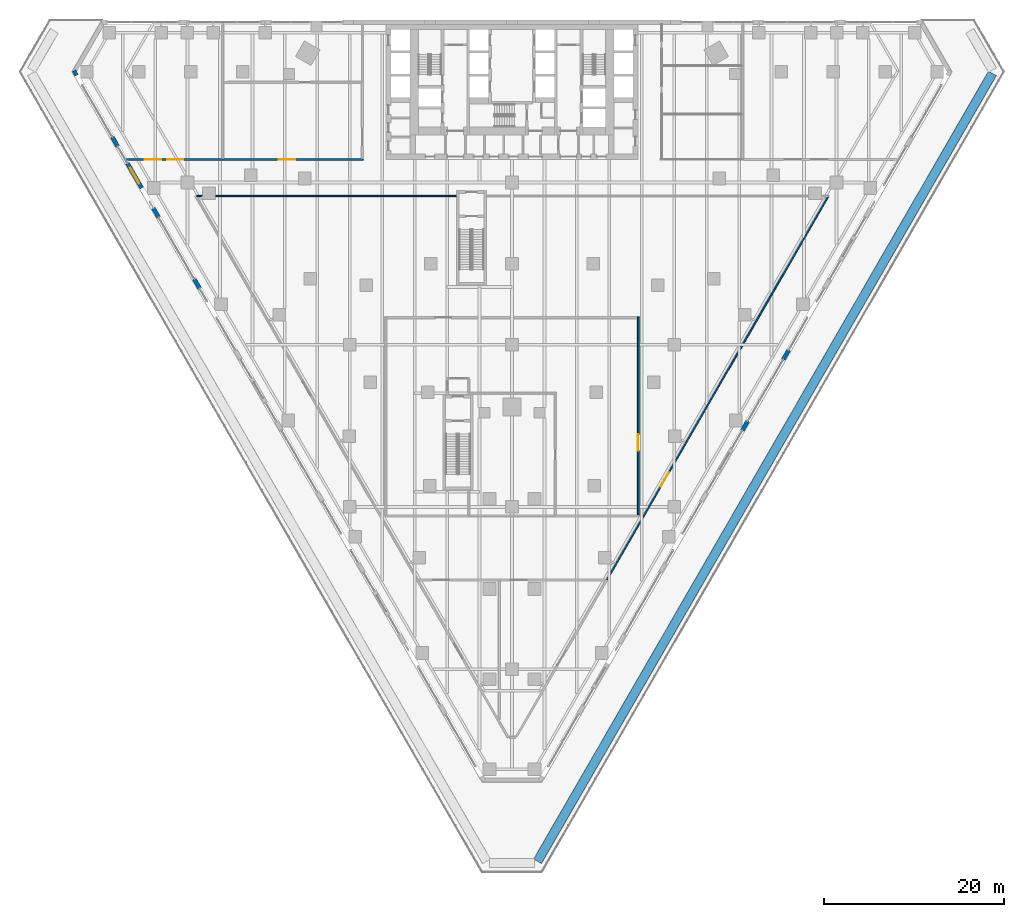
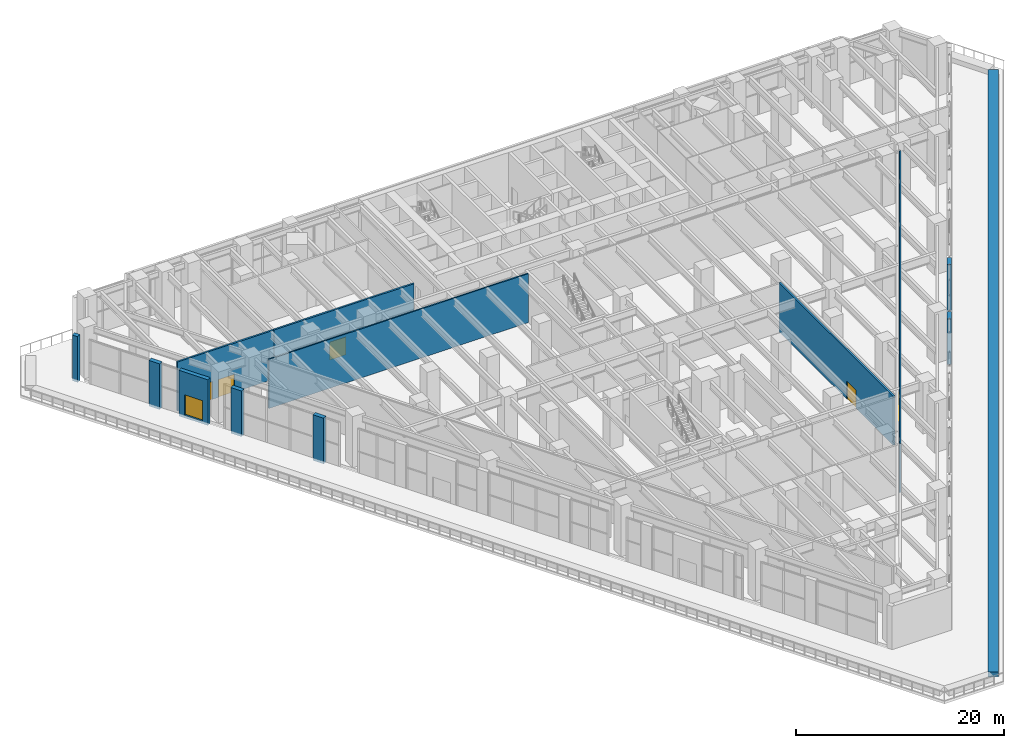
# One storey, part 30 of 40: 13 walls, 6 doors, 6 openings.
"""IFC4 building model written with IfcOpenShell, lengths in metres."""

import ifcopenshell
import ifcopenshell.guid

model = None  # the IFC model being written
_history = None  # IfcOwnerHistory: only IFC2X3 demands one
_inside = {}  # id of a spatial element -> (the spatial element, [elements in it])
_under = {}  # id of a project, library or spatial element -> (it, [spatial elements below it])
_declared = {}  # id of a project -> (the project, [libraries it declares])
_typed = {}  # id of a type object -> (the type object, [elements of that type])
_made_of = {}  # id of a material, layer set ... -> (it, [elements and type objects made of it])


def new_model(schema):
    """Start an empty IFC model of exactly this schema.

    Asked for "IFC4X3", IfcOpenShell would pick the latest addendum, in which some entities
    have other attributes; the version numbers below select the first issue.
    IFC2X3 requires an IfcOwnerHistory on every rooted entity: one is made here for all.
    """
    global model, _history
    if schema == "IFC4X3":
        model = ifcopenshell.file(schema_version=(4, 3, 0, 0))
    else:
        model = ifcopenshell.file(schema=schema)
    _inside.clear()
    _under.clear()
    _declared.clear()
    _typed.clear()
    _made_of.clear()
    _history = None
    if model.schema == "IFC2X3":
        org = make("IfcOrganization", Name="unknown")
        user = make(
            "IfcPersonAndOrganization",
            ThePerson=make("IfcPerson", FamilyName="unknown"),
            TheOrganization=org,
        )
        app = make(
            "IfcApplication",
            ApplicationDeveloper=org,
            Version="unknown",
            ApplicationFullName="unknown",
            ApplicationIdentifier="unknown",
        )
        _history = make(
            "IfcOwnerHistory",
            OwningUser=user,
            OwningApplication=app,
            ChangeAction="ADDED",
            CreationDate=0,
        )
    return model


def make(cls, **values):
    """One entity of the class cls with the attributes given. An attribute that is None is left unset."""
    return model.create_entity(
        cls, **{name: value for name, value in values.items() if value is not None}
    )


def rooted(cls, **values):
    """An entity with a GlobalId (a new one), such as an element, a storey or a relation."""
    return make(cls, GlobalId=ifcopenshell.guid.new(), OwnerHistory=_history, **values)


def si_unit(unit_type, name, prefix=None):
    """IfcSIUnit, for example si_unit("LENGTHUNIT", "METRE", prefix="MILLI")."""
    return make("IfcSIUnit", UnitType=unit_type, Prefix=prefix, Name=name)


def assignment(units):
    """IfcUnitAssignment: the units of a project."""
    return None if units is None else make("IfcUnitAssignment", Units=units)


def point(xyz):
    """IfcCartesianPoint."""
    return None if xyz is None else make("IfcCartesianPoint", Coordinates=xyz)


def direction(xyz):
    """IfcDirection."""
    return None if xyz is None else make("IfcDirection", DirectionRatios=xyz)


def frame(location, z_axis=None, x_axis=None):
    """IfcAxis2Placement3D, a coordinate frame: its origin and axes. An axis left out is left unset."""
    return make(
        "IfcAxis2Placement3D",
        Location=point(location),
        Axis=direction(z_axis),
        RefDirection=direction(x_axis),
    )


def frame_2d(location, x_axis=None):
    """IfcAxis2Placement2D, a coordinate frame in the plane: its origin and x axis."""
    return make(
        "IfcAxis2Placement2D", Location=point(location), RefDirection=direction(x_axis)
    )


def origin():
    """The frame at (0, 0, 0) with its axes left unset."""
    return frame((0.0, 0.0, 0.0))


def place(relative_to, where):
    """IfcLocalPlacement: puts the frame where relative to a parent placement (None: the world)."""
    return make(
        "IfcLocalPlacement", PlacementRelTo=relative_to, RelativePlacement=where
    )


def context(
    kind, dimensions, precision=None, world=None, true_north=None, identifier=None
):
    """IfcGeometricRepresentationContext, for example the 3D "Model" context."""
    return make(
        "IfcGeometricRepresentationContext",
        ContextIdentifier=identifier,
        ContextType=kind,
        CoordinateSpaceDimension=dimensions,
        Precision=precision,
        WorldCoordinateSystem=world,
        TrueNorth=true_north,
    )


def subcontext(parent, identifier, kind, view, scale=None):
    """IfcGeometricRepresentationSubContext, for example "Body" below "Model"."""
    return make(
        "IfcGeometricRepresentationSubContext",
        ContextIdentifier=identifier,
        ContextType=kind,
        ParentContext=parent,
        TargetScale=scale,
        TargetView=view,
    )


def project(units=None, contexts=None):
    """IfcProject with its units and contexts."""
    return rooted(
        "IfcProject",
        Name="project",
        RepresentationContexts=contexts,
        UnitsInContext=assignment(units),
    )


def spatial(cls, under=None, at=None, **own):
    """A site, building, storey or space (cls), placed at a placement, below another one or the project."""
    s = rooted(cls, ObjectPlacement=at, **own)
    if under is not None:
        _under.setdefault(under.id(), (under, []))[1].append(s)
    return s


def profile(cls, at=None, kind="AREA", **sizes):
    """A parametric profile (cls). Its sizes go by their IFC names, for example OverallWidth=200.0."""
    return make(cls, ProfileType=kind, Position=at, **sizes)


def rectangle(**sizes):
    """IfcRectangleProfileDef."""
    return profile("IfcRectangleProfileDef", **sizes)


def extrude(swept, where, along, depth):
    """IfcExtrudedAreaSolid: the profile swept, set in the frame where, extruded along a direction by depth."""
    return make(
        "IfcExtrudedAreaSolid",
        SweptArea=swept,
        Position=where,
        ExtrudedDirection=direction(along),
        Depth=depth,
    )


def shape(context_of_items, identifier, shape_type, items):
    """IfcShapeRepresentation: the items that make up one representation, for example the "Body"."""
    return make(
        "IfcShapeRepresentation",
        ContextOfItems=context_of_items,
        RepresentationIdentifier=identifier,
        RepresentationType=shape_type,
        Items=items,
    )


def material(Name=None, Category=None):
    """IfcMaterial."""
    return make("IfcMaterial", Name=Name, Category=Category)


def layer(
    of_material, thickness, ventilated=None, Name=None, Category=None, Priority=None
):
    """IfcMaterialLayer: one layer of a wall or slab, of a material (None: an air gap)."""
    return make(
        "IfcMaterialLayer",
        Material=of_material,
        LayerThickness=thickness,
        IsVentilated=ventilated,
        Name=Name,
        Category=Category,
        Priority=Priority,
    )


def layer_set(layers, Name=None):
    """IfcMaterialLayerSet."""
    return make("IfcMaterialLayerSet", MaterialLayers=layers, LayerSetName=Name)


def made_of(thing, what):
    """Note that an element or type object is made of a material, layer set ...; save() writes the relation."""
    if what is not None:
        _made_of.setdefault(what.id(), (what, []))[1].append(thing)
    return thing


def type_object(cls, material=None, **own):
    """A type object (cls), such as IfcWallType, which elements share."""
    return made_of(rooted(cls, **own), material)


def element(
    cls,
    number,
    at=None,
    inside=None,
    cuts=None,
    type_object=None,
    material=None,
    context=None,
    identifier="Body",
    shape_type=None,
    held_by="IfcProductDefinitionShape",
    body=None,
    shapes=None,
    **own,
):
    """One element of the class cls, such as IfcWall. Its Tag is "e" and its number.

    at: its placement. inside: the storey or other place that contains it. cuts: it is an
    opening in that element (IfcRelVoidsElement). A single representation is given by context,
    identifier, shape_type and body (its items); several are given by shapes. held_by: the class
    of the entity that holds the representations. save() writes the other relations.
    """
    e = rooted(cls, Tag="e%d" % number, ObjectPlacement=at, **own)
    if body is not None:
        shapes = [shape(context, identifier, shape_type, body)]
    if shapes is not None:
        e.Representation = make(held_by, Representations=shapes)
    if inside is not None:
        _inside.setdefault(inside.id(), (inside, []))[1].append(e)
    if cuts is not None:
        rooted(
            "IfcRelVoidsElement", RelatingBuildingElement=cuts, RelatedOpeningElement=e
        )
    if type_object is not None:
        _typed.setdefault(type_object.id(), (type_object, []))[1].append(e)
    return made_of(e, material)


def fill(opening, filler):
    """IfcRelFillsElement: the door or window that sits in an opening."""
    return rooted(
        "IfcRelFillsElement",
        RelatingOpeningElement=opening,
        RelatedBuildingElement=filler,
    )


def aggregate(whole, parts):
    """IfcRelAggregates: a whole, such as a stair, and the parts it consists of."""
    return rooted("IfcRelAggregates", RelatingObject=whole, RelatedObjects=parts)


def save(model, path):
    """Write the relations noted so far, then the file.

    IfcRelAggregates (storeys below a building ...), IfcRelContainedInSpatialStructure (elements
    in a storey), IfcRelDefinesByType, IfcRelAssociatesMaterial and IfcRelDeclares: one each for
    every whole, place, type object, material and project.
    """
    for whole, parts in _under.values():
        aggregate(whole, parts)
    for where, things in _inside.values():
        rooted(
            "IfcRelContainedInSpatialStructure",
            RelatedElements=things,
            RelatingStructure=where,
        )
    for kind, things in _typed.values():
        rooted("IfcRelDefinesByType", RelatedObjects=things, RelatingType=kind)
    for what, things in _made_of.values():
        rooted("IfcRelAssociatesMaterial", RelatedObjects=things, RelatingMaterial=what)
    for by, libraries in _declared.values():
        rooted("IfcRelDeclares", RelatingContext=by, RelatedDefinitions=libraries)
    model.write(path)


model = new_model("IFC4")

# Units and contexts
model_context = context("Model", 3, precision=1e-05, world=origin(), true_north=direction((0.0, 1.0)))
body_context = subcontext(model_context, "Body", "Model", "MODEL_VIEW")
ifc_project = project(units=[si_unit("LENGTHUNIT", "METRE"), si_unit("AREAUNIT", "SQUARE_METRE"), si_unit("VOLUMEUNIT", "CUBIC_METRE"), si_unit("PLANEANGLEUNIT", "RADIAN"), si_unit("MASSUNIT", "GRAM", prefix="KILO")], contexts=[model_context])

# Site, building, storey
site_placement = place(None, origin())
site = spatial("IfcSite", under=ifc_project, at=site_placement, CompositionType="ELEMENT")
building_placement = place(site_placement, origin())
building = spatial("IfcBuilding", under=site, at=building_placement, Name="Aloe Facet Convention Tower", CompositionType="ELEMENT")
storey_placement = place(building_placement, frame((0.0, 0.0, 13.5)))
storey = spatial("IfcBuildingStorey", under=building, at=storey_placement, Name="L02", CompositionType="ELEMENT", Elevation=13.5)

# Walls
ifc_material_1 = material(Name="Precast concrete C40/50", Category="concrete")
ifc_layer_1 = layer(ifc_material_1, 1.0)
ifc_layer_set_1 = layer_set([ifc_layer_1], Name="EV-PLANTER-BED")
wall_type_1 = type_object("IfcWallType", Name="EV-PLANTER-BED", PredefinedType="STANDARD", material=ifc_layer_set_1)
wall_1_placement = place(storey_placement, frame((133.301513671875, 129.09130859375, 0.0), z_axis=(0.0, 0.0, 1.0), x_axis=(-0.500000924498, -0.866024870025, 0.0)))
element("IfcWall", 1, at=wall_1_placement, inside=storey, type_object=wall_type_1, Name="PLANTER PT-L02-1-2", PredefinedType="STANDARD", context=body_context, shape_type="SweptSolid", body=[
    extrude(rectangle(XDim=100.934814453125, YDim=1.0, at=frame_2d((50.46728515625, 0.0))), origin(), (0.0, 0.0, 1.0), 0.60009765625),
])
ifc_material_2 = material(Name="Precast concrete C40/50", Category="concrete")
ifc_layer_2 = layer(ifc_material_2, 0.449951171875)
ifc_layer_set_2 = layer_set([ifc_layer_2], Name="EV-WALL-STONE")
wall_type_2 = type_object("IfcWallType", Name="EV-WALL-STONE", PredefinedType="SOLIDWALL", material=ifc_layer_set_2)
wall_2_placement = place(storey_placement, frame((31.40087890625, 129.396728515625, -0.300048828125), z_axis=(0.0, 0.0, 1.0), x_axis=(0.50012165622, -0.865955154139, 0.0)))
element("IfcWall", 2, at=wall_2_placement, inside=storey, type_object=wall_type_2, Name="PW-L02-W01", PredefinedType="SOLIDWALL", context=body_context, shape_type="SweptSolid", body=[
    extrude(rectangle(XDim=0.599853515625, YDim=0.449951171875, at=frame_2d((0.2998046875, 0.0))), origin(), (0.0, 0.0, 1.0), 5.362548828125),
])
wall_3_placement = place(storey_placement, frame((35.650146484375, 122.03662109375, -0.300048828125), z_axis=(0.0, 0.0, 1.0), x_axis=(0.500033551112, -0.866006032174, 0.0)))
element("IfcWall", 3, at=wall_3_placement, inside=storey, type_object=wall_type_2, Name="PW-L02-W03", PredefinedType="SOLIDWALL", context=body_context, shape_type="SweptSolid", body=[
    extrude(rectangle(XDim=1.2001953125, YDim=0.449951171875, at=frame_2d((0.60009765625, 0.0))), origin(), (0.0, 0.0, 1.0), 5.362548828125),
])

# Wall, opening, door
wall_4_placement = place(storey_placement, frame((37.324951171875, 119.135986328125, -0.300048828125), z_axis=(0.0, 0.0, 1.0), x_axis=(0.499995408039, -0.866028054938, 0.0)))
wall_4 = element("IfcWall", 4, at=wall_4_placement, inside=storey, type_object=wall_type_2, Name="PW-L02-W04", PredefinedType="SOLIDWALL", context=body_context, shape_type="SweptSolid", body=[
    extrude(rectangle(XDim=3.2001953125, YDim=0.449951171875, at=frame_2d((1.60009765625, 0.0))), origin(), (0.0, 0.0, 1.0), 5.362548828125),
])
opening_1_placement = place(wall_4_placement, frame((0.60009765625, 0.0, 0.300048828125)))
opening_1 = element("IfcOpeningElement", 5, at=opening_1_placement, cuts=wall_4, Name="Opening D-L02-W04", PredefinedType="OPENING", context=body_context, shape_type="SweptSolid", body=[
    extrude(rectangle(XDim=2.0, YDim=2.39990234375, at=frame_2d((1.0, 1.199951171875))), frame((0.0, 0.23486328125, 0.0), z_axis=(0.0, -1.0, 0.0), x_axis=(1.0, 0.0, 0.0)), (0.0, 0.0, 1.0), 0.469970703125),
])
ifc_material_3 = material(Name="Aluminium frame, clear double glazing", Category="aluminium")
door_type_1 = type_object("IfcDoorType", Name="EV-DOOR-HALL", OperationType="DOUBLE_DOOR_SINGLE_SWING", PredefinedType="DOOR", material=ifc_material_3)
door_1_placement = place(opening_1_placement, origin())
door_1 = element("IfcDoor", 6, at=door_1_placement, inside=storey, type_object=door_type_1, Name="D-L02-W04", OperationType="DOUBLE_DOOR_SINGLE_SWING", OverallHeight=2.39990234375, OverallWidth=2.0, PredefinedType="DOOR", context=body_context, shape_type="SweptSolid", body=[
    extrude(rectangle(XDim=2.0, YDim=2.39990234375, at=frame_2d((1.0, 1.199951171875))), frame((0.0, 0.02490234375, 0.0), z_axis=(0.0, -1.0, 0.0), x_axis=(1.0, 0.0, 0.0)), (0.0, 0.0, 1.0), 0.050048828125),
])
fill(opening_1, door_1)

# Walls
for number, where, z_axis, x_axis, name in (
    (7, (40.19970703125, 114.15673828125, -0.300048828125), (0.0, 0.0, 1.0), (0.499880961361, -0.866094119867, 0.0), "PW-L02-W05"),
    (8, (44.7490234375, 106.27685546875, -0.300048828125), (0.0, 0.0, 1.0), (0.50012165622, -0.865955154139, 0.0), "PW-L02-W07"),
    (9, (105.55224609375, 89.47802734375, -0.300048828125), (0.0, 0.0, 1.0), (0.499880961361, 0.866094119867, 0.0), "PW-L02-E11"),
):
    element("IfcWall", number, at=place(storey_placement, frame(where, z_axis=z_axis, x_axis=x_axis)), inside=storey, type_object=wall_type_2, Name=name, PredefinedType="SOLIDWALL", context=body_context, shape_type="SweptSolid", body=[
        extrude(rectangle(XDim=1.199951171875, YDim=0.449951171875, at=frame_2d((0.60009765625, 0.0))), origin(), (0.0, 0.0, 1.0), 5.362548828125),
    ])
wall_5_placement = place(storey_placement, frame((110.1015625, 97.35791015625, -0.300048828125), z_axis=(0.0, 0.0, 1.0), x_axis=(0.500033551112, 0.866006032174, 0.0)))
element("IfcWall", 10, at=wall_5_placement, inside=storey, type_object=wall_type_2, Name="PW-L02-E13", PredefinedType="SOLIDWALL", context=body_context, shape_type="SweptSolid", body=[
    extrude(rectangle(XDim=1.2001953125, YDim=0.449951171875, at=frame_2d((0.60009765625, 0.0))), origin(), (0.0, 0.0, 1.0), 5.362548828125),
])

# Wall, opening, door
ifc_material_4 = material(Name="Masonry blockwork wall, plastered", Category="masonry")
ifc_layer_3 = layer(ifc_material_4, 0.199951171875)
ifc_layer_set_3 = layer_set([ifc_layer_3], Name="IN-POD-W-ASSY")
wall_type_3 = type_object("IfcWallType", Name="IN-POD-W-ASSY", PredefinedType="PARTITIONING", material=ifc_layer_set_3)
wall_6_placement = place(storey_placement, frame((93.99951171875, 80.0849609375, 0.0), z_axis=(0.0, 0.0, 1.0), x_axis=(2.2205198e-05, 0.999999999753, 0.0)))
wall_6 = element("IfcWall", 11, at=wall_6_placement, inside=storey, type_object=wall_type_3, Name="Partition L02-W013", PredefinedType="PARTITIONING", context=body_context, shape_type="SweptSolid", body=[
    extrude(rectangle(XDim=21.989501953125, YDim=0.199951171875, at=frame_2d((10.99462890625, 0.0))), origin(), (0.0, 0.0, 1.0), 5.75),
])
opening_2_placement = place(wall_6_placement, frame((7.15625, 0.0, 0.0)))
opening_2 = element("IfcOpeningElement", 12, at=opening_2_placement, cuts=wall_6, Name="Opening L02-014", PredefinedType="OPENING", context=body_context, shape_type="SweptSolid", body=[
    extrude(rectangle(XDim=1.800048828125, YDim=2.10009765625, at=frame_2d((0.89990234375, 1.050048828125))), frame((0.0, 0.10986328125, 0.0), z_axis=(0.0, -1.0, 0.0), x_axis=(1.0, 0.0, 0.0)), (0.0, 0.0, 1.0), 0.219970703125),
])
ifc_material_5 = material(Name="Hardwood flush door pair", Category="wood")
door_type_2 = type_object("IfcDoorType", Name="IN-POD-D-PAIR", OperationType="DOUBLE_DOOR_SINGLE_SWING", PredefinedType="DOOR", material=ifc_material_5)
door_2_placement = place(opening_2_placement, origin())
door_2 = element("IfcDoor", 13, at=door_2_placement, inside=storey, type_object=door_type_2, Name="Door L02-014", OperationType="SINGLE_SWING_LEFT", OverallHeight=2.10009765625, OverallWidth=1.800048828125, PredefinedType="DOOR", context=body_context, shape_type="SweptSolid", body=[
    extrude(rectangle(XDim=1.800048828125, YDim=2.10009765625, at=frame_2d((0.89990234375, 1.050048828125))), frame((0.0, 0.02490234375, 0.0), z_axis=(0.0, -1.0, 0.0), x_axis=(1.0, 0.0, 0.0)), (0.0, 0.0, 1.0), 0.050048828125),
])
fill(opening_2, door_2)

# Wall, openings, doors
wall_7_placement = place(storey_placement, frame((37.1982421875, 119.550048828125, 0.0), z_axis=(0.0, 0.0, 1.0), x_axis=(1.0, 0.0, 0.0)))
wall_7 = element("IfcWall", 14, at=wall_7_placement, inside=storey, type_object=wall_type_3, Name="Partition L02-W025", PredefinedType="PARTITIONING", context=body_context, shape_type="SweptSolid", body=[
    extrude(rectangle(XDim=10.711669921875, YDim=0.199951171875, at=frame_2d((5.35595703125, 0.0))), origin(), (0.0, 0.0, 1.0), 5.75),
])
opening_3_placement = place(wall_7_placement, frame((4.529541015625, 0.0, 0.0)))
opening_3 = element("IfcOpeningElement", 15, at=opening_3_placement, cuts=wall_7, Name="Opening L02-006", PredefinedType="OPENING", context=body_context, shape_type="SweptSolid", body=[
    extrude(rectangle(XDim=1.800048828125, YDim=2.10009765625, at=frame_2d((0.89990234375, 1.050048828125))), frame((0.0, 0.10986328125, 0.0), z_axis=(0.0, -1.0, 0.0), x_axis=(1.0, 0.0, 0.0)), (0.0, 0.0, 1.0), 0.219970703125),
])
opening_4_placement = place(wall_7_placement, frame((2.080322265625, 0.0, 0.0)))
opening_4 = element("IfcOpeningElement", 16, at=opening_4_placement, cuts=wall_7, Name="Opening L02-007", PredefinedType="OPENING", context=body_context, shape_type="SweptSolid", body=[
    extrude(rectangle(XDim=1.800048828125, YDim=2.10009765625, at=frame_2d((0.89990234375, 1.050048828125))), frame((0.0, 0.10986328125, 0.0), z_axis=(0.0, -1.0, 0.0), x_axis=(1.0, 0.0, 0.0)), (0.0, 0.0, 1.0), 0.219970703125),
])
door_3_placement = place(opening_3_placement, origin())
door_3 = element("IfcDoor", 17, at=door_3_placement, inside=storey, type_object=door_type_2, Name="Door L02-006", OperationType="SINGLE_SWING_LEFT", OverallHeight=2.10009765625, OverallWidth=1.800048828125, PredefinedType="DOOR", context=body_context, shape_type="SweptSolid", body=[
    extrude(rectangle(XDim=1.800048828125, YDim=2.10009765625, at=frame_2d((0.89990234375, 1.050048828125))), frame((0.0, 0.02490234375, 0.0), z_axis=(0.0, -1.0, 0.0), x_axis=(1.0, 0.0, 0.0)), (0.0, 0.0, 1.0), 0.050048828125),
])
fill(opening_3, door_3)
door_4_placement = place(opening_4_placement, origin())
door_4 = element("IfcDoor", 18, at=door_4_placement, inside=storey, type_object=door_type_2, Name="Door L02-007", OperationType="SINGLE_SWING_LEFT", OverallHeight=2.10009765625, OverallWidth=1.800048828125, PredefinedType="DOOR", context=body_context, shape_type="SweptSolid", body=[
    extrude(rectangle(XDim=1.800048828125, YDim=2.10009765625, at=frame_2d((0.89990234375, 1.050048828125))), frame((0.0, 0.02490234375, 0.0), z_axis=(0.0, -1.0, 0.0), x_axis=(1.0, 0.0, 0.0)), (0.0, 0.0, 1.0), 0.050048828125),
])
fill(opening_4, door_4)

# Wall, opening, door
wall_8_placement = place(storey_placement, frame((47.909912109375, 119.550048828125, 0.0), z_axis=(0.0, 0.0, 1.0), x_axis=(1.0, 0.0, 0.0)))
wall_8 = element("IfcWall", 19, at=wall_8_placement, inside=storey, type_object=wall_type_3, Name="Partition L02-W026", PredefinedType="PARTITIONING", context=body_context, shape_type="SweptSolid", body=[
    extrude(rectangle(XDim=15.564697265625, YDim=0.199951171875, at=frame_2d((7.7822265625, 0.0))), origin(), (0.0, 0.0, 1.0), 5.75),
])
opening_5_placement = place(wall_8_placement, frame((6.22412109375, 0.0, 0.0)))
opening_5 = element("IfcOpeningElement", 20, at=opening_5_placement, cuts=wall_8, Name="Opening L02-008", PredefinedType="OPENING", context=body_context, shape_type="SweptSolid", body=[
    extrude(rectangle(XDim=1.800048828125, YDim=2.10009765625, at=frame_2d((0.89990234375, 1.050048828125))), frame((0.0, 0.10986328125, 0.0), z_axis=(0.0, -1.0, 0.0), x_axis=(1.0, 0.0, 0.0)), (0.0, 0.0, 1.0), 0.219970703125),
])
door_5_placement = place(opening_5_placement, origin())
door_5 = element("IfcDoor", 21, at=door_5_placement, inside=storey, type_object=door_type_2, Name="Door L02-008", OperationType="SINGLE_SWING_LEFT", OverallHeight=2.10009765625, OverallWidth=1.800048828125, PredefinedType="DOOR", context=body_context, shape_type="SweptSolid", body=[
    extrude(rectangle(XDim=1.800048828125, YDim=2.10009765625, at=frame_2d((0.89990234375, 1.050048828125))), frame((0.0, 0.02490234375, 0.0), z_axis=(0.0, -1.0, 0.0), x_axis=(1.0, 0.0, 0.0)), (0.0, 0.0, 1.0), 0.050048828125),
])
fill(opening_5, door_5)

# Wall
ifc_material_6 = material(Name="Gypsum board partition on steel studs, double layer", Category="steel")
ifc_layer_4 = layer(ifc_material_6, 0.14990234375)
ifc_layer_set_4 = layer_set([ifc_layer_4], Name="IN-POD-W-CORR")
wall_type_4 = type_object("IfcWallType", Name="IN-POD-W-CORR", PredefinedType="PARTITIONING", material=ifc_layer_set_4)
wall_9_placement = place(storey_placement, frame((45.010009765625, 115.5, 0.0), z_axis=(0.0, 0.0, 1.0), x_axis=(1.0, 0.0, 0.0)))
element("IfcWall", 22, at=wall_9_placement, inside=storey, type_object=wall_type_4, Name="Partition L02-W022", PredefinedType="PARTITIONING", context=body_context, shape_type="SweptSolid", body=[
    extrude(rectangle(XDim=28.794921875, YDim=0.14990234375, at=frame_2d((14.3974609375, 0.0))), origin(), (0.0, 0.0, 1.0), 5.75),
])

# Wall, opening, door
wall_10_placement = place(storey_placement, frame((90.52490234375, 72.89990234375, 0.0), z_axis=(0.0, 0.0, 1.0), x_axis=(0.499997424756, 0.866026890597, 0.0)))
wall_10 = element("IfcWall", 23, at=wall_10_placement, inside=storey, type_object=wall_type_4, Name="Partition L02-W024", PredefinedType="PARTITIONING", context=body_context, shape_type="SweptSolid", body=[
    extrude(rectangle(XDim=49.060302734375, YDim=0.14990234375, at=frame_2d((24.5302734375, 0.0))), origin(), (0.0, 0.0, 1.0), 5.75),
])
opening_6_placement = place(wall_10_placement, frame((11.965087890625, 0.0, 0.0)))
opening_6 = element("IfcOpeningElement", 24, at=opening_6_placement, cuts=wall_10, Name="Opening L02-017", PredefinedType="OPENING", context=body_context, shape_type="SweptSolid", body=[
    extrude(rectangle(XDim=1.800048828125, YDim=2.10009765625, at=frame_2d((0.89990234375, 1.050048828125))), frame((0.0, 0.0849609375, 0.0), z_axis=(0.0, -1.0, 0.0), x_axis=(1.0, 0.0, 0.0)), (0.0, 0.0, 1.0), 0.169921875),
])
door_6_placement = place(opening_6_placement, origin())
door_6 = element("IfcDoor", 25, at=door_6_placement, inside=storey, type_object=door_type_2, Name="Door L02-017", OperationType="SINGLE_SWING_LEFT", OverallHeight=2.10009765625, OverallWidth=1.800048828125, PredefinedType="DOOR", context=body_context, shape_type="SweptSolid", body=[
    extrude(rectangle(XDim=1.800048828125, YDim=2.10009765625, at=frame_2d((0.89990234375, 1.050048828125))), frame((0.0, 0.02490234375, 0.0), z_axis=(0.0, -1.0, 0.0), x_axis=(1.0, 0.0, 0.0)), (0.0, 0.0, 1.0), 0.050048828125),
])
fill(opening_6, door_6)

save(model, "model.ifc")
